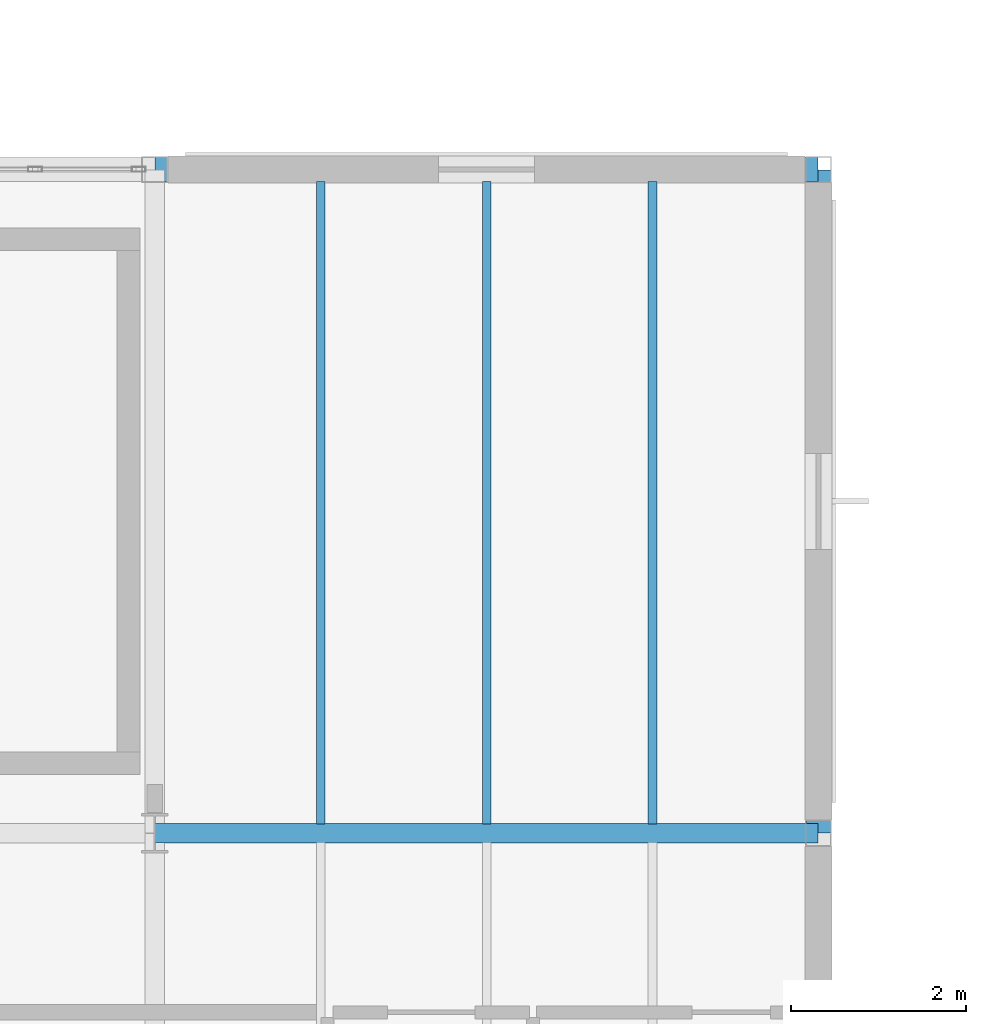
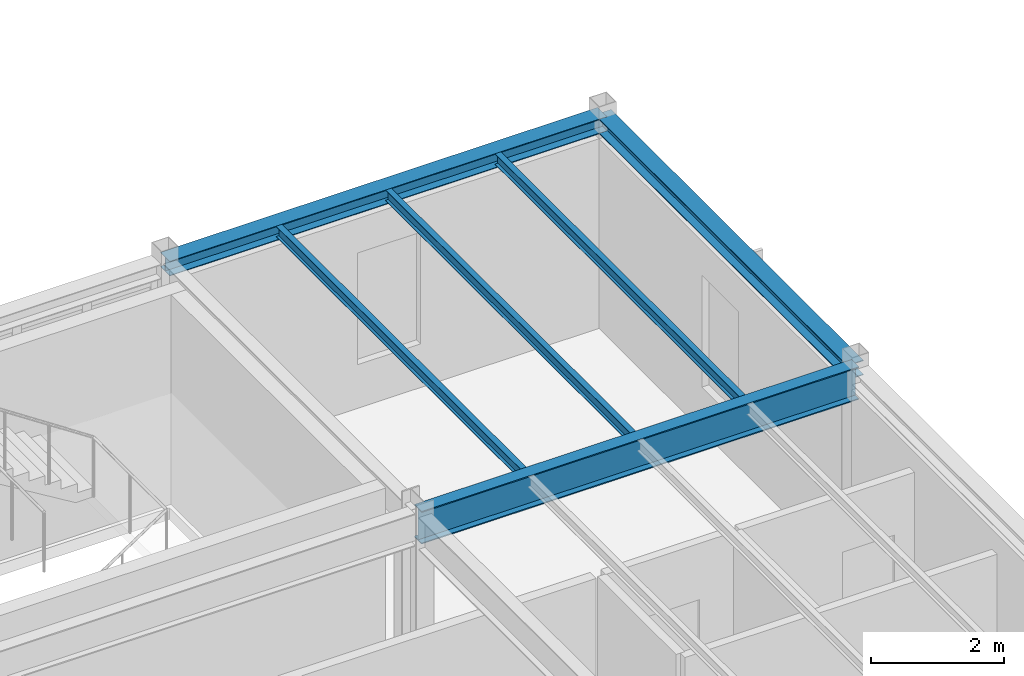
# One storey, part 78 of 165: 6 beams.
"""IFC4 building model written with IfcOpenShell, lengths in metres."""

from ifc_helpers import new_model, si_unit, direction, frame, origin, origin_2d, place, context, subcontext, project, spatial, i_section, extrude, material, material_profile, profile_set, type_object, element, save


model = new_model("IFC4")

# Units and contexts
model_context = context("Model", 3, precision=1e-05, world=origin(), true_north=direction((0.0, 1.0)))
body_context = subcontext(model_context, "Body", "Model", "MODEL_VIEW")
ifc_project = project(units=[si_unit("LENGTHUNIT", "METRE"), si_unit("AREAUNIT", "SQUARE_METRE"), si_unit("VOLUMEUNIT", "CUBIC_METRE"), si_unit("PLANEANGLEUNIT", "RADIAN"), si_unit("MASSUNIT", "GRAM", prefix="KILO")], contexts=[model_context])

# Site, building, storey
site_placement = place(None, origin())
site = spatial("IfcSite", under=ifc_project, at=site_placement, CompositionType="ELEMENT")
building_placement = place(site_placement, origin())
building = spatial("IfcBuilding", under=site, at=building_placement, Name="Montecoro Central Library", CompositionType="ELEMENT")
storey_placement = place(building_placement, frame((0.0, 0.0, 5.10009765625)))
storey = spatial("IfcBuildingStorey", under=building, at=storey_placement, Name="L01", CompositionType="ELEMENT", Elevation=5.10009765625)

# Beams
ifc_material_1 = material(Name="Steel S355J2", Category="steel")
ifc_material_profile_1 = material_profile(ifc_material_1, i_section(OverallWidth=0.219970703125, OverallDepth=0.60009765625, WebThickness=0.011962890625, FlangeThickness=0.01904296875, at=origin_2d()), Name="IPE 600")
ifc_profile_set_1 = profile_set([ifc_material_profile_1], Name="Steel S355J2")
beam_type_1 = type_object("IfcBeamType", Name="BM-G-IPE600", PredefinedType="USERDEFINED", material=ifc_profile_set_1)
beam_placement = place(storey_placement, frame((35.405029296875, 103.800048828125, 3.52490234375), z_axis=(1.0, 0.0, 0.0), x_axis=(0.0, 1.0, 0.0)))
element("IfcBeam", 1, at=beam_placement, inside=storey, type_object=beam_type_1, Name="V4-L01-BX-56-P", ObjectType="GIRDER", PredefinedType="USERDEFINED", context=body_context, shape_type="SweptSolid", body=[
    extrude(i_section(OverallWidth=0.219970703125, OverallDepth=0.60009765625, WebThickness=0.011962890625, FlangeThickness=0.01904296875, at=origin_2d()), origin(), (0.0, 0.0, 1.0), 7.590087890625),
])
ifc_material_2 = material(Name="Steel S355", Category="steel")
ifc_material_profile_2 = material_profile(ifc_material_2, i_section(OverallWidth=0.10009765625, OverallDepth=0.199951171875, WebThickness=0.005615234375, FlangeThickness=0.008544921875, at=origin_2d()), Name="IPE 200")
ifc_profile_set_2 = profile_set([ifc_material_profile_2], Name="Steel S355")
beam_type_2 = type_object("IfcBeamType", Name="BM-J-IPE200", PredefinedType="JOIST", material=ifc_profile_set_2)
for number, where, z_axis, x_axis, name in (
    (2, (37.300048828125, 103.906982421875, 3.724853515625), (0.0, 1.0, 0.0), (-1.0, 0.0, 0.0), "V4-L01-JS-56-PQ-1"),
    (3, (39.199951171875, 103.906982421875, 3.724853515625), (0.0, 1.0, 0.0), (-1.0, 0.0, 0.0), "V4-L01-JS-56-PQ-2"),
    (4, (41.10009765625, 103.906982421875, 3.724853515625), (0.0, 1.0, 0.0), (-1.0, 0.0, 0.0), "V4-L01-JS-56-PQ-3"),
):
    element("IfcBeam", number, at=place(storey_placement, frame(where, z_axis=z_axis, x_axis=x_axis)), inside=storey, type_object=beam_type_2, Name=name, PredefinedType="JOIST", context=body_context, shape_type="SweptSolid", body=[
        extrude(i_section(OverallWidth=0.10009765625, OverallDepth=0.199951171875, WebThickness=0.005615234375, FlangeThickness=0.008544921875, at=origin_2d()), origin(), (0.0, 0.0, 1.0), 7.35595703125),
    ])
ifc_material_profile_3 = material_profile(ifc_material_2, i_section(OverallWidth=0.280029296875, OverallDepth=0.27001953125, WebThickness=0.008056640625, FlangeThickness=0.012939453125, at=origin_2d()), Name="HEA 280")
ifc_profile_set_3 = profile_set([ifc_material_profile_3], Name="Steel S355")
beam_type_3 = type_object("IfcBeamType", Name="BM-SP-HEA280", PredefinedType="SPANDREL", material=ifc_profile_set_3)
for number, where, z_axis, x_axis, name in (
    (5, (35.405029296875, 111.39990234375, 3.68994140625), (1.0, 0.0, 0.0), (0.0, 1.0, 0.0), "V4-L01-BX-56-Q"),
    (6, (43.0, 103.804931640625, 3.68994140625), (0.0, 1.0, 0.0), (-1.0, 0.0, 0.0), "V4-L01-BY-6-PQ"),
):
    element("IfcBeam", number, at=place(storey_placement, frame(where, z_axis=z_axis, x_axis=x_axis)), inside=storey, type_object=beam_type_3, Name=name, PredefinedType="SPANDREL", context=body_context, shape_type="SweptSolid", body=[
        extrude(i_section(OverallWidth=0.280029296875, OverallDepth=0.27001953125, WebThickness=0.008056640625, FlangeThickness=0.012939453125, at=origin_2d()), origin(), (0.0, 0.0, 1.0), 7.590087890625),
    ])

save(model, "model.ifc")
